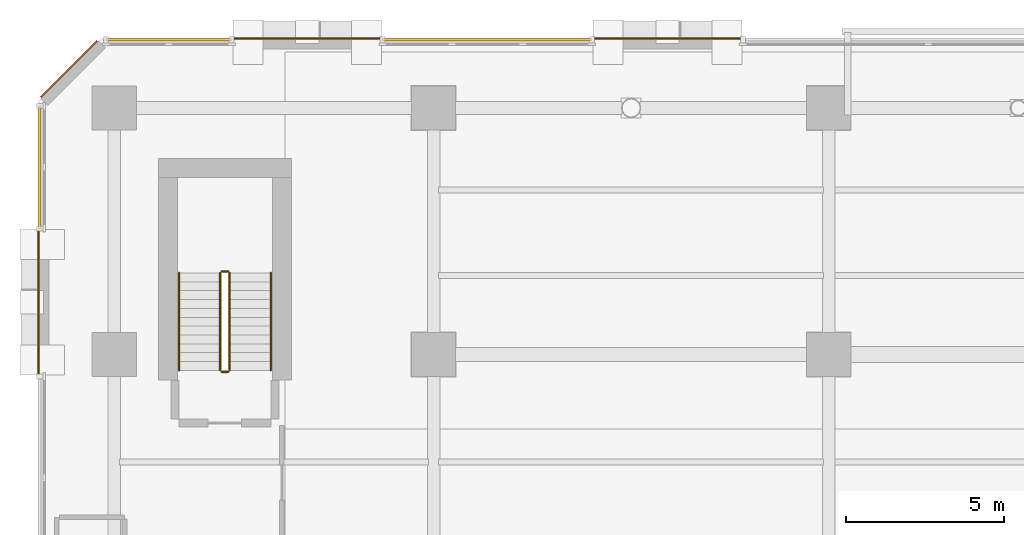
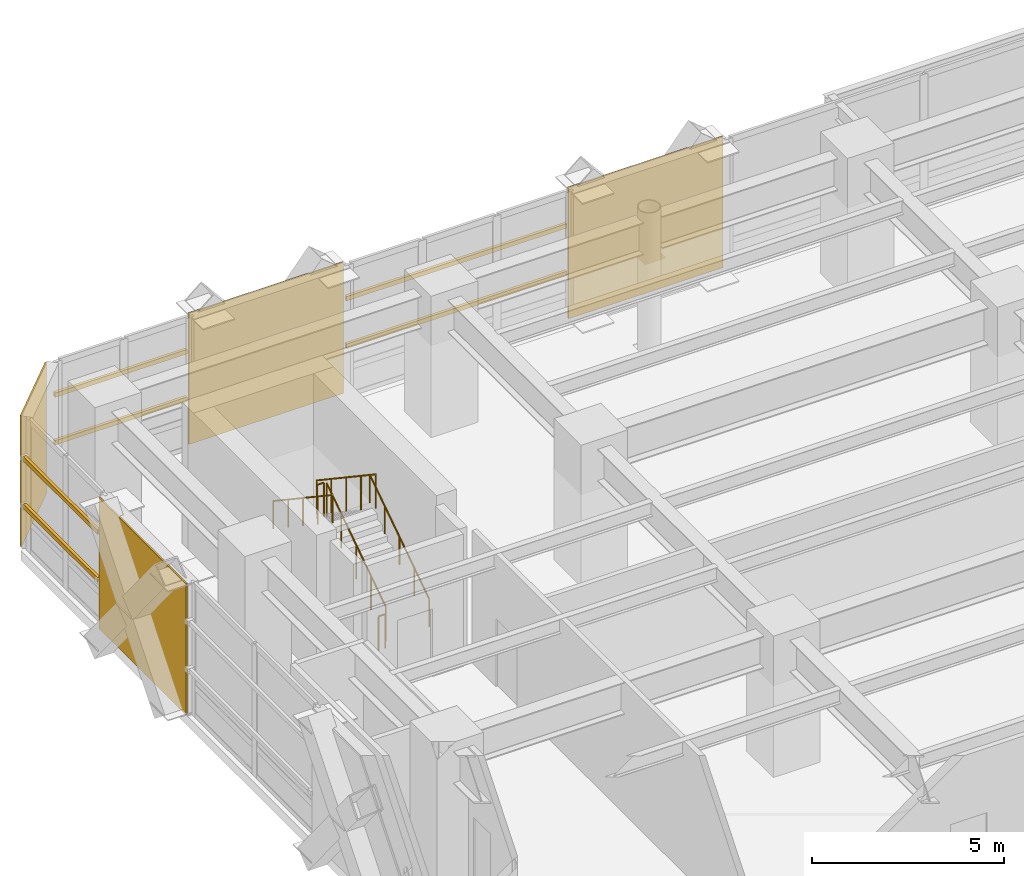
# One storey, part 28 of 30: 6 railings, 6 shading devices, 4 coverings.
"""IFC4 building model written with IfcOpenShell, lengths in metres."""

from ifc_helpers import new_model, si_unit, direction, frame, origin, origin_2d, place, context, subcontext, project, spatial, polyline, rectangle, circle, outline, extrude, material, layer, layer_set, material_profile, profile_set, type_object, element, save


model = new_model("IFC4")

# Units and contexts
model_context = context("Model", 3, precision=1e-05, world=origin(), true_north=direction((0.0, 1.0)))
body_context = subcontext(model_context, "Body", "Model", "MODEL_VIEW")
ifc_project = project(units=[si_unit("LENGTHUNIT", "METRE"), si_unit("AREAUNIT", "SQUARE_METRE"), si_unit("VOLUMEUNIT", "CUBIC_METRE"), si_unit("PLANEANGLEUNIT", "RADIAN"), si_unit("MASSUNIT", "GRAM", prefix="KILO")], contexts=[model_context])

# Site, building, storey
site_placement = place(None, origin())
site = spatial("IfcSite", under=ifc_project, at=site_placement, CompositionType="ELEMENT")
building_placement = place(site_placement, origin())
building = spatial("IfcBuilding", under=site, at=building_placement, Name="Quenlor Broadcast Tower", CompositionType="ELEMENT")
storey_placement = place(building_placement, frame((0.0, 0.0, 9.5)))
storey = spatial("IfcBuildingStorey", under=building, at=storey_placement, Name="L02", CompositionType="ELEMENT", Elevation=9.5)

# Shading devices
ifc_material_1 = material(Name="Architectural Terracotta Ceramic", Category="masonry")
ifc_material_profile = material_profile(ifc_material_1, rectangle(XDim=0.090087890625, YDim=0.139892578125, at=origin_2d()))
ifc_profile_set = profile_set([ifc_material_profile], Name="Architectural Terracotta Ceramic BAG90x140")
shading_device_type = type_object("IfcShadingDeviceType", Name="Copper Terracotta Baguette Solar Screen 140", PredefinedType="USERDEFINED", material=ifc_profile_set)
for number, where, z_axis, x_axis, name in (
    (1, (-34.85888671875, 24.972900390625, 1.511962890625), (1.0, 0.0, 0.0), (0.0, 1.0, 0.0), "L02 Terracotta Baguette Screen 1"),
    (2, (-34.85888671875, 24.972900390625, 3.02392578125), (1.0, 0.0, 0.0), (0.0, 1.0, 0.0), "L02 Terracotta Baguette Screen 2"),
):
    element("IfcShadingDevice", number, at=place(storey_placement, frame(where, z_axis=z_axis, x_axis=x_axis)), inside=storey, type_object=shading_device_type, Name=name, ObjectType="BAGUETTE", PredefinedType="USERDEFINED", context=body_context, shape_type="SweptSolid", body=[
        extrude(rectangle(XDim=0.090087890625, YDim=0.139892578125, at=origin_2d()), origin(), (0.0, 0.0, 1.0), 3.968505859375),
    ])
for number, where, z_axis, x_axis, name in (
    (3, (-26.109619140625, 24.972900390625, 1.511962890625), (1.0, 0.0, 0.0), (0.0, 1.0, 0.0), "L02 Terracotta Baguette Screen 1"),
    (4, (-26.109619140625, 24.972900390625, 3.02392578125), (1.0, 0.0, 0.0), (0.0, 1.0, 0.0), "L02 Terracotta Baguette Screen 2"),
):
    element("IfcShadingDevice", number, at=place(storey_placement, frame(where, z_axis=z_axis, x_axis=x_axis)), inside=storey, type_object=shading_device_type, Name=name, ObjectType="BAGUETTE", PredefinedType="USERDEFINED", context=body_context, shape_type="SweptSolid", body=[
        extrude(rectangle(XDim=0.090087890625, YDim=0.139892578125, at=origin_2d()), origin(), (0.0, 0.0, 1.0), 6.619140625),
    ])
for number, where, z_axis, x_axis, name in (
    (5, (-36.972900390625, 18.99365234375, 1.511962890625), (0.0, 1.0, 0.0), (-1.0, 0.0, 0.0), "L02 Terracotta Baguette Screen 1"),
    (6, (-36.972900390625, 18.99365234375, 3.02392578125), (0.0, 1.0, 0.0), (-1.0, 0.0, 0.0), "L02 Terracotta Baguette Screen 2"),
):
    element("IfcShadingDevice", number, at=place(storey_placement, frame(where, z_axis=z_axis, x_axis=x_axis)), inside=storey, type_object=shading_device_type, Name=name, ObjectType="BAGUETTE", PredefinedType="USERDEFINED", context=body_context, shape_type="SweptSolid", body=[
        extrude(rectangle(XDim=0.090087890625, YDim=0.139892578125, at=origin_2d()), origin(), (0.0, 0.0, 1.0), 3.865234375),
    ])

# Coverings
ifc_material_2 = material(Name="Architectural Terracotta Ceramic", Category="masonry")
ifc_layer = layer(ifc_material_2, 0.044921875)
ifc_layer_set = layer_set([ifc_layer], Name="Fluted Terracotta Rainscreen Cladding Panel")
covering_type = type_object("IfcCoveringType", Name="Fluted Terracotta Rainscreen Cladding Panel", PredefinedType="CLADDING", material=ifc_layer_set)
covering_1_placement = place(storey_placement, frame((0.0, 0.0, 0.02001953125)))
element("IfcCovering", 7, at=covering_1_placement, inside=storey, type_object=covering_type, Name="L02 Terracotta Rainscreen Cladding L02-N-FULL-SP1", PredefinedType="CLADDING", context=body_context, shape_type="SweptSolid", body=[
    extrude(outline(polyline([(-30.819580078125, 24.971923828125), (-26.180419921875, 24.971923828125), (-26.180419921875, 25.01708984375), (-30.819580078125, 25.01708984375), (-30.819580078125, 24.971923828125)])), origin(), (0.0, 0.0, 1.0), 4.159912109375),
])
covering_2_placement = place(storey_placement, frame((0.0, 0.0, 0.02001953125)))
element("IfcCovering", 8, at=covering_2_placement, inside=storey, type_object=covering_type, Name="L02 Terracotta Rainscreen Cladding L02-N-FULL-SP2", PredefinedType="CLADDING", context=body_context, shape_type="SweptSolid", body=[
    extrude(outline(polyline([(-19.41943359375, 24.971923828125), (-14.780517578125, 24.971923828125), (-14.780517578125, 25.01708984375), (-19.41943359375, 25.01708984375), (-19.41943359375, 24.971923828125)])), origin(), (0.0, 0.0, 1.0), 4.159912109375),
])
covering_3_placement = place(storey_placement, frame((0.0, 0.0, 0.02001953125)))
element("IfcCovering", 9, at=covering_3_placement, inside=storey, type_object=covering_type, Name="L02 Terracotta Rainscreen Cladding L02-W-FULL-SP4", PredefinedType="CLADDING", context=body_context, shape_type="SweptSolid", body=[
    extrude(outline(polyline([(-36.971923828125, 14.377197265625), (-36.971923828125, 18.922607421875), (-37.01708984375, 18.922607421875), (-37.01708984375, 14.377197265625), (-36.971923828125, 14.377197265625)])), origin(), (0.0, 0.0, 1.0), 4.159912109375),
])
covering_4_placement = place(storey_placement, frame((0.0, 0.0, 0.02001953125)))
element("IfcCovering", 10, at=covering_4_placement, inside=storey, type_object=covering_type, Name="L02 Terracotta Rainscreen Cladding L02-EW-CNW", PredefinedType="CLADDING", context=body_context, shape_type="SweptSolid", body=[
    extrude(outline(polyline([(-36.90625, 23.128662109375), (-35.128662109375, 24.90625), (-35.160400390625, 24.93798828125), (-36.93798828125, 23.160400390625), (-36.90625, 23.128662109375)])), origin(), (0.0, 0.0, 1.0), 4.159912109375),
])

# Railings
ifc_material_3 = material(Name="Anodised Aluminium", Category="aluminium")
railing_type_1 = type_object("IfcRailingType", Name="Stainless Aluminium Wall Handrail 900", PredefinedType="HANDRAIL", material=ifc_material_3)
railing_1_placement = place(storey_placement, frame((-29.64990234375, 14.5, 0.1875)))
element("IfcRailing", 11, at=railing_1_placement, inside=storey, type_object=railing_type_1, Name="L02 ST-3 stair handrail 1", PredefinedType="HANDRAIL", context=body_context, shape_type="SweptSolid", body=[
    extrude(circle(Radius=0.02392578125, at=origin_2d()), frame((0.0, 0.0, 0.8759765625), z_axis=(0.0, 0.830913701846, 0.55640131208), x_axis=(-1.0, 0.0, 0.0)), (0.0, 0.0, 1.0), 3.706787109375),
    extrude(circle(Radius=0.02099609375, at=origin_2d()), origin(), (0.0, 0.0, 1.0), 0.851806640625),
    extrude(circle(Radius=0.02099609375, at=origin_2d()), frame((0.0, 0.77001953125, 0.515625)), (0.0, 0.0, 1.0), 0.851806640625),
    extrude(circle(Radius=0.02099609375, at=origin_2d()), frame((0.0, 1.5400390625, 1.03125)), (0.0, 0.0, 1.0), 0.851806640625),
    extrude(circle(Radius=0.02099609375, at=origin_2d()), frame((0.0, 2.31005859375, 1.546875)), (0.0, 0.0, 1.0), 0.851806640625),
    extrude(circle(Radius=0.02099609375, at=origin_2d()), frame((0.0, 3.080078125, 2.0625)), (0.0, 0.0, 1.0), 0.851806640625),
])
railing_2_placement = place(storey_placement, frame((-32.550048828125, 17.580078125, 2.4375)))
element("IfcRailing", 12, at=railing_2_placement, inside=storey, type_object=railing_type_1, Name="L02 ST-3 stair handrail 2", PredefinedType="HANDRAIL", context=body_context, shape_type="SweptSolid", body=[
    extrude(circle(Radius=0.02392578125, at=origin_2d()), frame((0.0, 0.0, 0.8759765625), z_axis=(0.0, -0.830913701846, 0.55640131208), x_axis=(1.0, 0.0, 0.0)), (0.0, 0.0, 1.0), 3.706787109375),
    extrude(circle(Radius=0.02099609375, at=origin_2d()), origin(), (0.0, 0.0, 1.0), 0.851806640625),
    extrude(circle(Radius=0.02099609375, at=origin_2d()), frame((0.0, -0.77001953125, 0.515625)), (0.0, 0.0, 1.0), 0.851806640625),
    extrude(circle(Radius=0.02099609375, at=origin_2d()), frame((0.0, -1.5400390625, 1.03125)), (0.0, 0.0, 1.0), 0.851806640625),
    extrude(circle(Radius=0.02099609375, at=origin_2d()), frame((0.0, -2.31005859375, 1.546875)), (0.0, 0.0, 1.0), 0.851806640625),
    extrude(circle(Radius=0.02099609375, at=origin_2d()), frame((0.0, -3.080078125, 2.0625)), (0.0, 0.0, 1.0), 0.851806640625),
])
ifc_material_4 = material(Name="Steel S355", Category="steel")
railing_type_2 = type_object("IfcRailingType", Name="Tubular Steel S355 Stair Guardrail 1100", PredefinedType="BALUSTRADE", material=ifc_material_4)
railing_3_placement = place(storey_placement, frame((-30.949951171875, 14.5, 0.1875)))
element("IfcRailing", 13, at=railing_3_placement, inside=storey, type_object=railing_type_2, Name="L02 ST-3 stair guard 1", PredefinedType="BALUSTRADE", context=body_context, shape_type="SweptSolid", body=[
    extrude(circle(Radius=0.02392578125, at=origin_2d()), frame((0.0, 0.0, 1.076171875), z_axis=(0.0, 0.830913701846, 0.55640131208), x_axis=(-1.0, 0.0, 0.0)), (0.0, 0.0, 1.0), 3.706787109375),
    extrude(circle(Radius=0.02099609375, at=origin_2d()), origin(), (0.0, 0.0, 1.0), 1.052001953125),
    extrude(circle(Radius=0.02099609375, at=origin_2d()), frame((0.0, 0.77001953125, 0.515625)), (0.0, 0.0, 1.0), 1.052001953125),
    extrude(circle(Radius=0.02099609375, at=origin_2d()), frame((0.0, 1.5400390625, 1.03125)), (0.0, 0.0, 1.0), 1.052001953125),
    extrude(circle(Radius=0.02099609375, at=origin_2d()), frame((0.0, 2.31005859375, 1.546875)), (0.0, 0.0, 1.0), 1.052001953125),
    extrude(circle(Radius=0.02099609375, at=origin_2d()), frame((0.0, 3.080078125, 2.0625)), (0.0, 0.0, 1.0), 1.052001953125),
])
railing_4_placement = place(storey_placement, frame((-31.0, 17.6298828125, 2.25)))
element("IfcRailing", 14, at=railing_4_placement, inside=storey, type_object=railing_type_2, Name="L02 ST-3 stair guard 2", PredefinedType="BALUSTRADE", context=body_context, shape_type="SweptSolid", body=[
    extrude(circle(Radius=0.02392578125, at=origin_2d()), frame((0.0, 0.0, 1.076171875), z_axis=(-1.0, 0.0, 0.0), x_axis=(0.0, -1.0, 0.0)), (0.0, 0.0, 1.0), 0.199951171875),
    extrude(circle(Radius=0.02099609375, at=origin_2d()), origin(), (0.0, 0.0, 1.0), 1.052001953125),
    extrude(circle(Radius=0.02099609375, at=origin_2d()), frame((-0.199951171875, 0.0, 0.0)), (0.0, 0.0, 1.0), 1.052001953125),
])
railing_5_placement = place(storey_placement, frame((-31.25, 17.580078125, 2.4375)))
element("IfcRailing", 15, at=railing_5_placement, inside=storey, type_object=railing_type_2, Name="L02 ST-3 stair guard 3", PredefinedType="BALUSTRADE", context=body_context, shape_type="SweptSolid", body=[
    extrude(circle(Radius=0.02392578125, at=origin_2d()), frame((0.0, 0.0, 1.076171875), z_axis=(0.0, -0.830913701846, 0.55640131208), x_axis=(1.0, 0.0, 0.0)), (0.0, 0.0, 1.0), 3.706787109375),
    extrude(circle(Radius=0.02099609375, at=origin_2d()), origin(), (0.0, 0.0, 1.0), 1.052001953125),
    extrude(circle(Radius=0.02099609375, at=origin_2d()), frame((0.0, -0.77001953125, 0.515625)), (0.0, 0.0, 1.0), 1.052001953125),
    extrude(circle(Radius=0.02099609375, at=origin_2d()), frame((0.0, -1.5400390625, 1.03125)), (0.0, 0.0, 1.0), 1.052001953125),
    extrude(circle(Radius=0.02099609375, at=origin_2d()), frame((0.0, -2.31005859375, 1.546875)), (0.0, 0.0, 1.0), 1.052001953125),
    extrude(circle(Radius=0.02099609375, at=origin_2d()), frame((0.0, -3.080078125, 2.0625)), (0.0, 0.0, 1.0), 1.052001953125),
])
railing_6_placement = place(storey_placement, frame((-31.0, 14.449951171875, 0.0)))
element("IfcRailing", 16, at=railing_6_placement, inside=storey, type_object=railing_type_2, Name="L02 ST-3 stair guard 4", PredefinedType="BALUSTRADE", context=body_context, shape_type="SweptSolid", body=[
    extrude(circle(Radius=0.02392578125, at=origin_2d()), frame((0.0, 0.0, 1.076171875), z_axis=(-1.0, 0.0, 0.0), x_axis=(0.0, -1.0, 0.0)), (0.0, 0.0, 1.0), 0.199951171875),
    extrude(circle(Radius=0.02099609375, at=origin_2d()), origin(), (0.0, 0.0, 1.0), 1.052001953125),
    extrude(circle(Radius=0.02099609375, at=origin_2d()), frame((-0.199951171875, 0.0, 0.0)), (0.0, 0.0, 1.0), 1.052001953125),
])

save(model, "model.ifc")
